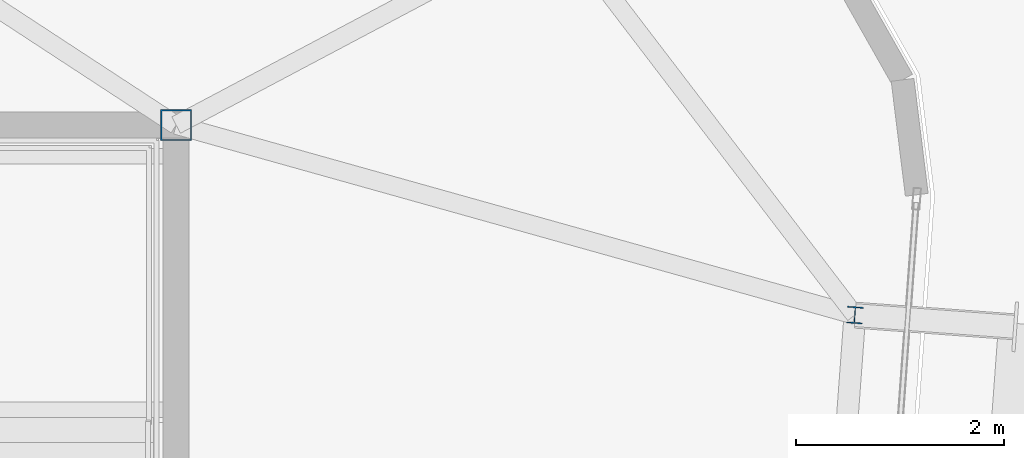
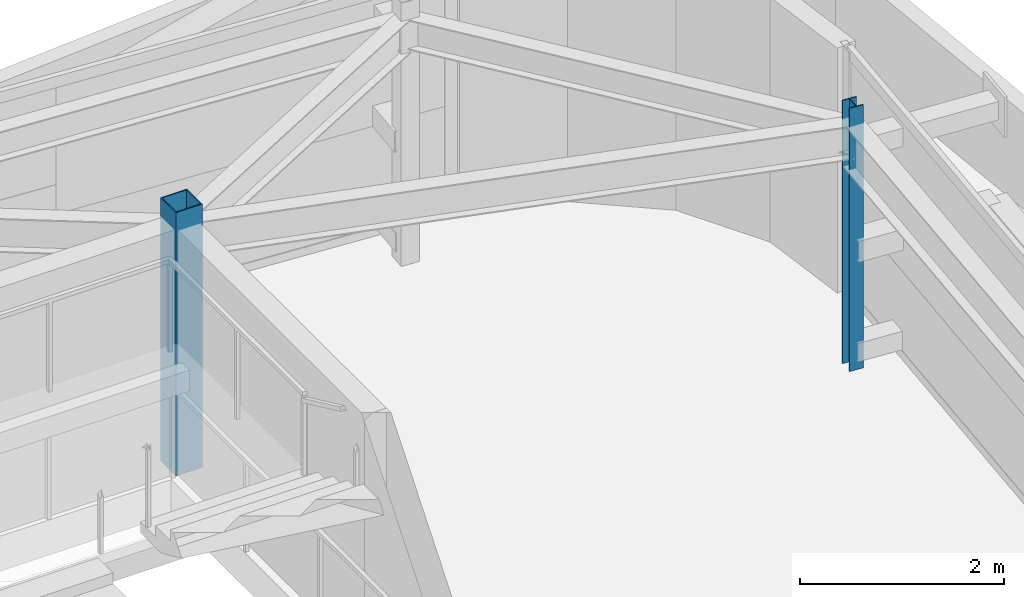
# One storey, part 6 of 37: 2 columns.
"""IFC4 building model written with IfcOpenShell, lengths in metres."""

from ifc_helpers import new_model, si_unit, direction, frame, origin, origin_2d, place, context, subcontext, project, spatial, hollow_rectangle, i_section, extrude, source, transform, mapped, material, material_profile, profile_set, type_object, element, save


model = new_model("IFC4")

# Units and contexts
model_context = context("Model", 3, precision=1e-05, world=origin(), true_north=direction((0.0, 1.0)))
body_context = subcontext(model_context, "Body", "Model", "MODEL_VIEW")
ifc_project = project(units=[si_unit("LENGTHUNIT", "METRE"), si_unit("AREAUNIT", "SQUARE_METRE"), si_unit("VOLUMEUNIT", "CUBIC_METRE"), si_unit("PLANEANGLEUNIT", "RADIAN"), si_unit("MASSUNIT", "GRAM", prefix="KILO")], contexts=[model_context])

# Site, building, storey
site_placement = place(None, origin())
site = spatial("IfcSite", under=ifc_project, at=site_placement, CompositionType="ELEMENT")
building_placement = place(site_placement, origin())
building = spatial("IfcBuilding", under=site, at=building_placement, Name="Taldren Reach Tower", CompositionType="ELEMENT")
storey_placement = place(building_placement, frame((0.0, 0.0, 211.39990234375)))
storey = spatial("IfcBuildingStorey", under=building, at=storey_placement, Name="L64", CompositionType="ELEMENT", Elevation=211.39990234375)

# Columns
ifc_material_1 = material(Name="Steel Gr 450 (C450L0)", Category="steel")
ifc_material_profile_1 = material_profile(ifc_material_1, hollow_rectangle(XDim=0.300048828125, YDim=0.300048828125, WallThickness=0.012451171875, at=origin_2d()), Name="300x300x12.5SHS")
ifc_profile_set_1 = profile_set([ifc_material_profile_1], Name="Steel Gr 450 (C450L0)")
column_type_1 = type_object("IfcColumnType", Name="COL-SHS300", PredefinedType="COLUMN", material=ifc_profile_set_1)
shared_shape_1 = source(origin(), body_context, "Body", "SweptSolid", [
    extrude(hollow_rectangle(XDim=0.300048828125, YDim=0.300048828125, WallThickness=0.012451171875, at=origin_2d()), origin(), (0.0, 0.0, 1.0), 3.150146484375),
])
column_1_placement = place(storey_placement, frame((51.0, 32.0, 0.0), z_axis=(0.0, 0.0, 1.0), x_axis=(1.0, 0.0, 0.0)))
element("IfcColumn", 1, at=column_1_placement, inside=storey, type_object=column_type_1, Name="Mega column MC-C8 L64", PredefinedType="COLUMN", context=body_context, shape_type="MappedRepresentation", body=[
    mapped(shared_shape_1, transform((0.0, 0.0, 0.0), scale=1.0)),
])
ifc_material_2 = material(Name="Steel Gr 350 (350PLUS)", Category="steel")
ifc_material_profile_2 = material_profile(ifc_material_2, i_section(OverallWidth=0.154052734375, OverallDepth=0.162109375, WebThickness=0.008056640625, FlangeThickness=0.011474609375, at=origin_2d()), Name="150UC37.2")
ifc_profile_set_2 = profile_set([ifc_material_profile_2], Name="Steel Gr 350 (350PLUS)")
column_type_2 = type_object("IfcColumnType", Name="COL-UC150", PredefinedType="COLUMN", material=ifc_profile_set_2)
shared_shape_2 = source(origin(), body_context, "Body", "SweptSolid", [
    extrude(i_section(OverallWidth=0.154052734375, OverallDepth=0.162109375, WebThickness=0.008056640625, FlangeThickness=0.011474609375, at=origin_2d()), origin(), (0.0, 0.0, 1.0), 3.150146484375),
])
column_2_placement = place(storey_placement, frame((57.540771484375, 30.168701171875, 0.0), z_axis=(0.0, 0.0, 1.0), x_axis=(0.997314477224, -0.073238197128, 0.0)))
element("IfcColumn", 2, at=column_2_placement, inside=storey, type_object=column_type_2, Name="Block B5 perimeter column E3 L64", PredefinedType="COLUMN", context=body_context, shape_type="MappedRepresentation", body=[
    mapped(shared_shape_2, transform((0.0, 0.0, 0.0), scale=1.0)),
])

save(model, "model.ifc")
